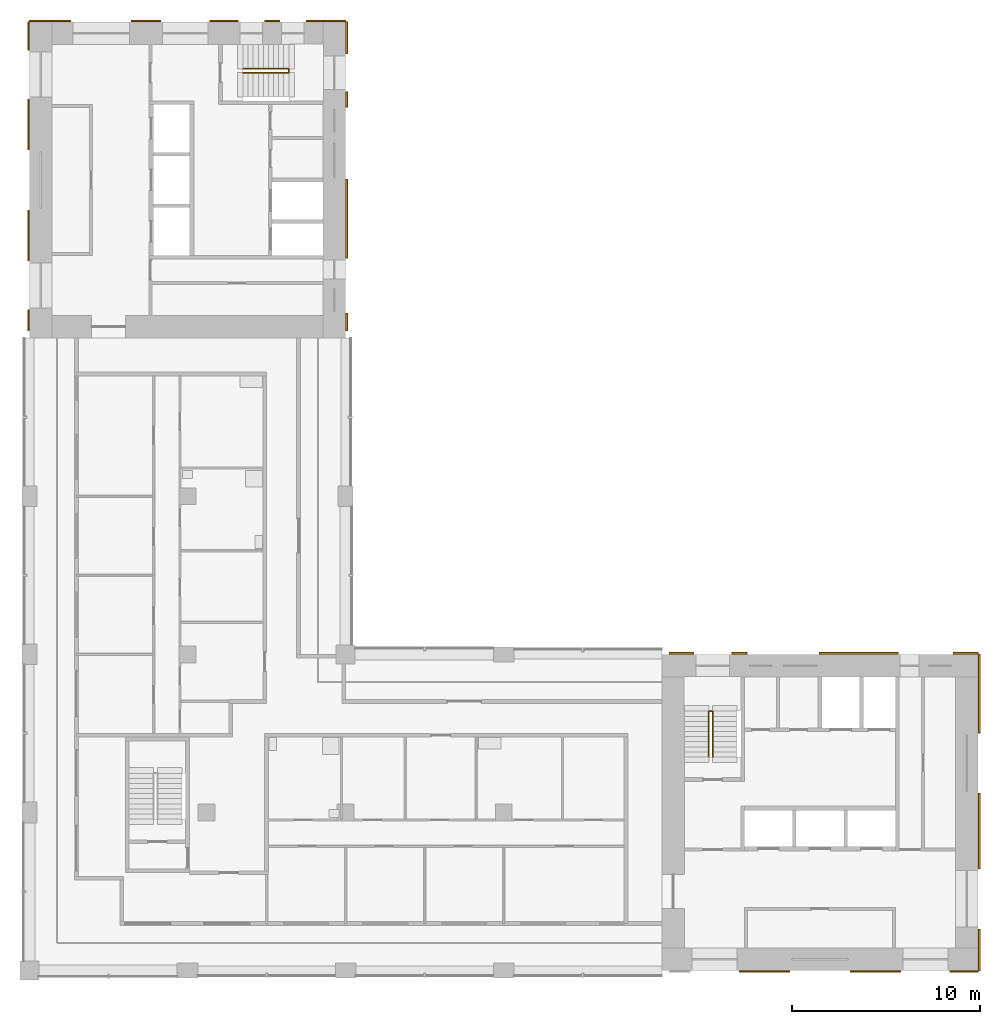
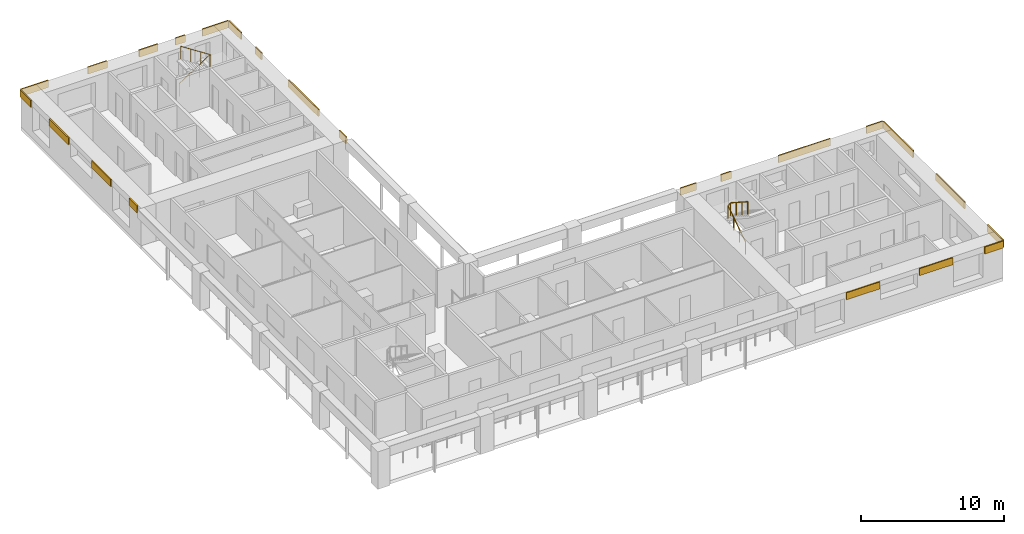
# One storey, part 8 of 9: 23 shading devices, 2 railings.
"""IFC4 building model written with IfcOpenShell, lengths in metres."""

from ifc_helpers import new_model, si_unit, direction, frame, origin, origin_2d, place, context, subcontext, project, spatial, rectangle, circle, extrude, material, layer, layer_set, type_object, element, save


model = new_model("IFC4")

# Units and contexts
model_context = context("Model", 3, precision=1e-05, world=origin(), true_north=direction((0.0, 1.0)))
body_context = subcontext(model_context, "Body", "Model", "MODEL_VIEW")
ifc_project = project(units=[si_unit("LENGTHUNIT", "METRE"), si_unit("AREAUNIT", "SQUARE_METRE"), si_unit("VOLUMEUNIT", "CUBIC_METRE"), si_unit("PLANEANGLEUNIT", "RADIAN"), si_unit("MASSUNIT", "GRAM", prefix="KILO")], contexts=[model_context])

# Site, building, storey
site_placement = place(None, origin())
site = spatial("IfcSite", under=ifc_project, at=site_placement, CompositionType="ELEMENT")
building_placement = place(site_placement, origin())
building = spatial("IfcBuilding", under=site, at=building_placement, Name="Vermilion Gate Residences", CompositionType="ELEMENT")
storey_placement = place(building_placement, frame((0.0, 0.0, 252.699951171875)))
storey = spatial("IfcBuildingStorey", under=building, at=storey_placement, Name="L66", CompositionType="ELEMENT", Elevation=252.699951171875)

# Railings
ifc_material_1 = material(Name="Steel S355", Category="steel")
railing_type = type_object("IfcRailingType", Name="STAIR GUARD 1100 STEEL", PredefinedType="GUARDRAIL", material=ifc_material_1)
railing_1_placement = place(storey_placement, frame((44.5, 19.75, 0.175048828125)))
element("IfcRailing", 1, at=railing_1_placement, inside=storey, type_object=railing_type, Name="Stair well guard STA1-66", PredefinedType="GUARDRAIL", context=body_context, shape_type="SweptSolid", body=[
    extrude(circle(Radius=0.02392578125, at=origin_2d()), frame((0.0, 0.0, 1.076171875), z_axis=(0.0, 0.839153699163, 0.543894354798), x_axis=(-1.0, 0.0, 0.0)), (0.0, 0.0, 1.0), 2.895751953125),
    extrude(circle(Radius=0.02392578125, at=origin_2d()), frame((0.0, 2.429931640625, 2.65087890625), z_axis=(0.752405939678, 0.0, 0.658699705433), x_axis=(0.0, 1.0, 0.0)), (0.0, 0.0, 1.0), 0.265869140625),
    extrude(circle(Radius=0.02392578125, at=origin_2d()), frame((0.199951171875, 2.429931640625, 2.826171875), z_axis=(0.0, -0.839153699163, 0.543894354798), x_axis=(1.0, 0.0, 0.0)), (0.0, 0.0, 1.0), 2.895751953125),
    extrude(circle(Radius=0.02099609375, at=origin_2d()), origin(), (0.0, 0.0, 1.0), 1.052001953125),
    extrude(circle(Radius=0.02099609375, at=origin_2d()), frame((0.0, 0.81005859375, 0.52490234375)), (0.0, 0.0, 1.0), 1.052001953125),
    extrude(circle(Radius=0.02099609375, at=origin_2d()), frame((0.0, 1.619873046875, 1.050048828125)), (0.0, 0.0, 1.0), 1.052001953125),
    extrude(circle(Radius=0.02099609375, at=origin_2d()), frame((0.0, 2.429931640625, 1.574951171875)), (0.0, 0.0, 1.0), 1.052001953125),
    extrude(circle(Radius=0.02099609375, at=origin_2d()), frame((0.199951171875, 2.429931640625, 1.75)), (0.0, 0.0, 1.0), 1.052001953125),
    extrude(circle(Radius=0.02099609375, at=origin_2d()), frame((0.199951171875, 1.619873046875, 2.27490234375)), (0.0, 0.0, 1.0), 1.052001953125),
    extrude(circle(Radius=0.02099609375, at=origin_2d()), frame((0.199951171875, 0.81005859375, 2.800048828125)), (0.0, 0.0, 1.0), 1.052001953125),
    extrude(circle(Radius=0.02099609375, at=origin_2d()), frame((0.199951171875, 0.0, 3.324951171875)), (0.0, 0.0, 1.0), 1.052001953125),
])
railing_2_placement = place(storey_placement, frame((19.75, 56.300048828125, 0.175048828125)))
element("IfcRailing", 2, at=railing_2_placement, inside=storey, type_object=railing_type, Name="Stair well guard STB1-66", PredefinedType="GUARDRAIL", context=body_context, shape_type="SweptSolid", body=[
    extrude(circle(Radius=0.02392578125, at=origin_2d()), frame((0.0, 0.0, 1.076171875), z_axis=(0.839153699163, 0.0, 0.543894354798), x_axis=(0.0, 1.0, 0.0)), (0.0, 0.0, 1.0), 2.895751953125),
    extrude(circle(Radius=0.02392578125, at=origin_2d()), frame((2.429931640625, 0.0, 2.65087890625), z_axis=(0.0, -0.752405939678, 0.658699705433), x_axis=(1.0, 0.0, 0.0)), (0.0, 0.0, 1.0), 0.265869140625),
    extrude(circle(Radius=0.02392578125, at=origin_2d()), frame((2.429931640625, -0.199951171875, 2.826171875), z_axis=(-0.839153699163, 0.0, 0.543894354798), x_axis=(0.0, -1.0, 0.0)), (0.0, 0.0, 1.0), 2.895751953125),
    extrude(circle(Radius=0.02099609375, at=origin_2d()), origin(), (0.0, 0.0, 1.0), 1.052001953125),
    extrude(circle(Radius=0.02099609375, at=origin_2d()), frame((0.81005859375, 0.0, 0.52490234375)), (0.0, 0.0, 1.0), 1.052001953125),
    extrude(circle(Radius=0.02099609375, at=origin_2d()), frame((1.619873046875, 0.0, 1.050048828125)), (0.0, 0.0, 1.0), 1.052001953125),
    extrude(circle(Radius=0.02099609375, at=origin_2d()), frame((2.429931640625, 0.0, 1.574951171875)), (0.0, 0.0, 1.0), 1.052001953125),
    extrude(circle(Radius=0.02099609375, at=origin_2d()), frame((2.429931640625, -0.199951171875, 1.75)), (0.0, 0.0, 1.0), 1.052001953125),
    extrude(circle(Radius=0.02099609375, at=origin_2d()), frame((1.619873046875, -0.199951171875, 2.27490234375)), (0.0, 0.0, 1.0), 1.052001953125),
    extrude(circle(Radius=0.02099609375, at=origin_2d()), frame((0.81005859375, -0.199951171875, 2.800048828125)), (0.0, 0.0, 1.0), 1.052001953125),
    extrude(circle(Radius=0.02099609375, at=origin_2d()), frame((0.0, -0.199951171875, 3.324951171875)), (0.0, 0.0, 1.0), 1.052001953125),
])

# Shading devices
ifc_material_2 = material(Name="Extruded terracotta", Category="masonry")
ifc_layer = layer(ifc_material_2, 0.10009765625)
ifc_layer_set = layer_set([ifc_layer], Name="TERRACOTTA SPANDREL BAND 600 X 100")
shading_device_type = type_object("IfcShadingDeviceType", Name="TERRACOTTA SPANDREL BAND 600 X 100", PredefinedType="USERDEFINED", material=ifc_layer_set)
for number, where, z_axis, x_axis, name in (
    (3, (47.449951171875, 8.35009765625, 2.6201171875), (0.0, 0.0, 1.0), (1.0, 0.0, 0.0), "SPANDREL BAND"),
    (4, (53.35009765625, 8.35009765625, 2.6201171875), (0.0, 0.0, 1.0), (1.0, 0.0, 0.0), "SPANDREL BAND"),
):
    element("IfcShadingDevice", number, at=place(storey_placement, frame(where, z_axis=z_axis, x_axis=x_axis)), inside=storey, type_object=shading_device_type, Name=name, ObjectType="BAND", PredefinedType="USERDEFINED", context=body_context, shape_type="SweptSolid", body=[
        extrude(rectangle(XDim=2.699951171875, YDim=0.10009765625, at=origin_2d()), origin(), (0.0, 0.0, 1.0), 0.60009765625),
    ])
shading_device_1_placement = place(storey_placement, frame((58.050048828125, 8.35009765625, 2.6201171875), z_axis=(0.0, 0.0, 1.0), x_axis=(1.0, 0.0, 0.0)))
element("IfcShadingDevice", 5, at=shading_device_1_placement, inside=storey, type_object=shading_device_type, Name="SPANDREL BAND", ObjectType="BAND", PredefinedType="USERDEFINED", context=body_context, shape_type="SweptSolid", body=[
    extrude(rectangle(XDim=1.5, YDim=0.10009765625, at=origin_2d()), origin(), (0.0, 0.0, 1.0), 0.60009765625),
])
shading_device_2_placement = place(storey_placement, frame((43.050048828125, 25.25, 2.6201171875), z_axis=(0.0, 0.0, 1.0), x_axis=(1.0, 0.0, 0.0)))
element("IfcShadingDevice", 6, at=shading_device_2_placement, inside=storey, type_object=shading_device_type, Name="SPANDREL BAND", ObjectType="BAND", PredefinedType="USERDEFINED", context=body_context, shape_type="SweptSolid", body=[
    extrude(rectangle(XDim=1.300048828125, YDim=0.10009765625, at=origin_2d()), origin(), (0.0, 0.0, 1.0), 0.60009765625),
])
shading_device_3_placement = place(storey_placement, frame((46.121826171875, 25.25, 2.6201171875), z_axis=(0.0, 0.0, 1.0), x_axis=(1.0, 0.0, 0.0)))
element("IfcShadingDevice", 7, at=shading_device_3_placement, inside=storey, type_object=shading_device_type, Name="SPANDREL BAND", ObjectType="BAND", PredefinedType="USERDEFINED", context=body_context, shape_type="SweptSolid", body=[
    extrude(rectangle(XDim=0.84375, YDim=0.10009765625, at=origin_2d()), origin(), (0.0, 0.0, 1.0), 0.60009765625),
])
shading_device_4_placement = place(storey_placement, frame((52.449951171875, 25.25, 2.6201171875), z_axis=(0.0, 0.0, 1.0), x_axis=(1.0, 0.0, 0.0)))
element("IfcShadingDevice", 8, at=shading_device_4_placement, inside=storey, type_object=shading_device_type, Name="SPANDREL BAND", ObjectType="BAND", PredefinedType="USERDEFINED", context=body_context, shape_type="SweptSolid", body=[
    extrude(rectangle(XDim=4.199951171875, YDim=0.10009765625, at=origin_2d()), origin(), (0.0, 0.0, 1.0), 0.60009765625),
])
shading_device_5_placement = place(storey_placement, frame((58.137451171875, 25.25, 2.6201171875), z_axis=(0.0, 0.0, 1.0), x_axis=(1.0, 0.0, 0.0)))
element("IfcShadingDevice", 9, at=shading_device_5_placement, inside=storey, type_object=shading_device_type, Name="SPANDREL BAND", ObjectType="BAND", PredefinedType="USERDEFINED", context=body_context, shape_type="SweptSolid", body=[
    extrude(rectangle(XDim=1.324951171875, YDim=0.10009765625, at=origin_2d()), origin(), (0.0, 0.0, 1.0), 0.60009765625),
])
shading_device_6_placement = place(storey_placement, frame((58.85009765625, 9.50244140625, 2.6201171875), z_axis=(0.0, 0.0, 1.0), x_axis=(0.0, 1.0, 0.0)))
element("IfcShadingDevice", 10, at=shading_device_6_placement, inside=storey, type_object=shading_device_type, Name="SPANDREL BAND", ObjectType="BAND", PredefinedType="USERDEFINED", context=body_context, shape_type="SweptSolid", body=[
    extrude(rectangle(XDim=2.205078125, YDim=0.10009765625, at=origin_2d()), origin(), (0.0, 0.0, 1.0), 0.60009765625),
])
shading_device_7_placement = place(storey_placement, frame((58.85009765625, 15.8125, 2.6201171875), z_axis=(0.0, 0.0, 1.0), x_axis=(0.0, 1.0, 0.0)))
element("IfcShadingDevice", 11, at=shading_device_7_placement, inside=storey, type_object=shading_device_type, Name="SPANDREL BAND", ObjectType="BAND", PredefinedType="USERDEFINED", context=body_context, shape_type="SweptSolid", body=[
    extrude(rectangle(XDim=4.014892578125, YDim=0.10009765625, at=origin_2d()), origin(), (0.0, 0.0, 1.0), 0.60009765625),
])
shading_device_8_placement = place(storey_placement, frame((58.85009765625, 23.110107421875, 2.6201171875), z_axis=(0.0, 0.0, 1.0), x_axis=(0.0, 1.0, 0.0)))
element("IfcShadingDevice", 12, at=shading_device_8_placement, inside=storey, type_object=shading_device_type, Name="SPANDREL BAND", ObjectType="BAND", PredefinedType="USERDEFINED", context=body_context, shape_type="SweptSolid", body=[
    extrude(rectangle(XDim=4.179931640625, YDim=0.10009765625, at=origin_2d()), origin(), (0.0, 0.0, 1.0), 0.60009765625),
])
shading_device_9_placement = place(storey_placement, frame((9.50244140625, 58.85009765625, 2.6201171875), z_axis=(0.0, 0.0, 1.0), x_axis=(1.0, 0.0, 0.0)))
element("IfcShadingDevice", 13, at=shading_device_9_placement, inside=storey, type_object=shading_device_type, Name="SPANDREL BAND", ObjectType="BAND", PredefinedType="USERDEFINED", context=body_context, shape_type="SweptSolid", body=[
    extrude(rectangle(XDim=2.205078125, YDim=0.10009765625, at=origin_2d()), origin(), (0.0, 0.0, 1.0), 0.60009765625),
])
shading_device_10_placement = place(storey_placement, frame((14.590087890625, 58.85009765625, 2.6201171875), z_axis=(0.0, 0.0, 1.0), x_axis=(1.0, 0.0, 0.0)))
element("IfcShadingDevice", 14, at=shading_device_10_placement, inside=storey, type_object=shading_device_type, Name="SPANDREL BAND", ObjectType="BAND", PredefinedType="USERDEFINED", context=body_context, shape_type="SweptSolid", body=[
    extrude(rectangle(XDim=1.570068359375, YDim=0.10009765625, at=origin_2d()), origin(), (0.0, 0.0, 1.0), 0.60009765625),
])
shading_device_11_placement = place(storey_placement, frame((18.734130859375, 58.85009765625, 2.6201171875), z_axis=(0.0, 0.0, 1.0), x_axis=(1.0, 0.0, 0.0)))
element("IfcShadingDevice", 15, at=shading_device_11_placement, inside=storey, type_object=shading_device_type, Name="SPANDREL BAND", ObjectType="BAND", PredefinedType="USERDEFINED", context=body_context, shape_type="SweptSolid", body=[
    extrude(rectangle(XDim=1.518310546875, YDim=0.10009765625, at=origin_2d()), origin(), (0.0, 0.0, 1.0), 0.60009765625),
])
shading_device_12_placement = place(storey_placement, frame((21.294921875, 58.85009765625, 2.6201171875), z_axis=(0.0, 0.0, 1.0), x_axis=(1.0, 0.0, 0.0)))
element("IfcShadingDevice", 16, at=shading_device_12_placement, inside=storey, type_object=shading_device_type, Name="SPANDREL BAND", ObjectType="BAND", PredefinedType="USERDEFINED", context=body_context, shape_type="SweptSolid", body=[
    extrude(rectangle(XDim=0.803466796875, YDim=0.10009765625, at=origin_2d()), origin(), (0.0, 0.0, 1.0), 0.60009765625),
])
shading_device_13_placement = place(storey_placement, frame((24.1484375, 58.85009765625, 2.6201171875), z_axis=(0.0, 0.0, 1.0), x_axis=(1.0, 0.0, 0.0)))
element("IfcShadingDevice", 17, at=shading_device_13_placement, inside=storey, type_object=shading_device_type, Name="SPANDREL BAND", ObjectType="BAND", PredefinedType="USERDEFINED", context=body_context, shape_type="SweptSolid", body=[
    extrude(rectangle(XDim=2.103271484375, YDim=0.10009765625, at=origin_2d()), origin(), (0.0, 0.0, 1.0), 0.60009765625),
])
shading_device_14_placement = place(storey_placement, frame((8.35009765625, 42.949951171875, 2.6201171875), z_axis=(0.0, 0.0, 1.0), x_axis=(0.0, 1.0, 0.0)))
element("IfcShadingDevice", 18, at=shading_device_14_placement, inside=storey, type_object=shading_device_type, Name="SPANDREL BAND", ObjectType="BAND", PredefinedType="USERDEFINED", context=body_context, shape_type="SweptSolid", body=[
    extrude(rectangle(XDim=1.10009765625, YDim=0.10009765625, at=origin_2d()), origin(), (0.0, 0.0, 1.0), 0.60009765625),
])
for number, where, z_axis, x_axis, name in (
    (19, (8.35009765625, 47.449951171875, 2.6201171875), (0.0, 0.0, 1.0), (0.0, 1.0, 0.0), "SPANDREL BAND"),
    (20, (8.35009765625, 53.35009765625, 2.6201171875), (0.0, 0.0, 1.0), (0.0, 1.0, 0.0), "SPANDREL BAND"),
):
    element("IfcShadingDevice", number, at=place(storey_placement, frame(where, z_axis=z_axis, x_axis=x_axis)), inside=storey, type_object=shading_device_type, Name=name, ObjectType="BAND", PredefinedType="USERDEFINED", context=body_context, shape_type="SweptSolid", body=[
        extrude(rectangle(XDim=2.699951171875, YDim=0.10009765625, at=origin_2d()), origin(), (0.0, 0.0, 1.0), 0.60009765625),
    ])
shading_device_15_placement = place(storey_placement, frame((8.35009765625, 58.050048828125, 2.6201171875), z_axis=(0.0, 0.0, 1.0), x_axis=(0.0, 1.0, 0.0)))
element("IfcShadingDevice", 21, at=shading_device_15_placement, inside=storey, type_object=shading_device_type, Name="SPANDREL BAND", ObjectType="BAND", PredefinedType="USERDEFINED", context=body_context, shape_type="SweptSolid", body=[
    extrude(rectangle(XDim=1.5, YDim=0.10009765625, at=origin_2d()), origin(), (0.0, 0.0, 1.0), 0.60009765625),
])
shading_device_16_placement = place(storey_placement, frame((25.25, 42.862548828125, 2.6201171875), z_axis=(0.0, 0.0, 1.0), x_axis=(0.0, 1.0, 0.0)))
element("IfcShadingDevice", 22, at=shading_device_16_placement, inside=storey, type_object=shading_device_type, Name="SPANDREL BAND", ObjectType="BAND", PredefinedType="USERDEFINED", context=body_context, shape_type="SweptSolid", body=[
    extrude(rectangle(XDim=0.925048828125, YDim=0.10009765625, at=origin_2d()), origin(), (0.0, 0.0, 1.0), 0.60009765625),
])
shading_device_17_placement = place(storey_placement, frame((25.25, 48.35009765625, 2.6201171875), z_axis=(0.0, 0.0, 1.0), x_axis=(0.0, 1.0, 0.0)))
element("IfcShadingDevice", 23, at=shading_device_17_placement, inside=storey, type_object=shading_device_type, Name="SPANDREL BAND", ObjectType="BAND", PredefinedType="USERDEFINED", context=body_context, shape_type="SweptSolid", body=[
    extrude(rectangle(XDim=4.199951171875, YDim=0.10009765625, at=origin_2d()), origin(), (0.0, 0.0, 1.0), 0.60009765625),
])
shading_device_18_placement = place(storey_placement, frame((25.25, 54.67822265625, 2.6201171875), z_axis=(0.0, 0.0, 1.0), x_axis=(0.0, 1.0, 0.0)))
element("IfcShadingDevice", 24, at=shading_device_18_placement, inside=storey, type_object=shading_device_type, Name="SPANDREL BAND", ObjectType="BAND", PredefinedType="USERDEFINED", context=body_context, shape_type="SweptSolid", body=[
    extrude(rectangle(XDim=0.84375, YDim=0.10009765625, at=origin_2d()), origin(), (0.0, 0.0, 1.0), 0.60009765625),
])
shading_device_19_placement = place(storey_placement, frame((25.25, 57.949951171875, 2.6201171875), z_axis=(0.0, 0.0, 1.0), x_axis=(0.0, 1.0, 0.0)))
element("IfcShadingDevice", 25, at=shading_device_19_placement, inside=storey, type_object=shading_device_type, Name="SPANDREL BAND", ObjectType="BAND", PredefinedType="USERDEFINED", context=body_context, shape_type="SweptSolid", body=[
    extrude(rectangle(XDim=1.699951171875, YDim=0.10009765625, at=origin_2d()), origin(), (0.0, 0.0, 1.0), 0.60009765625),
])

save(model, "model.ifc")
